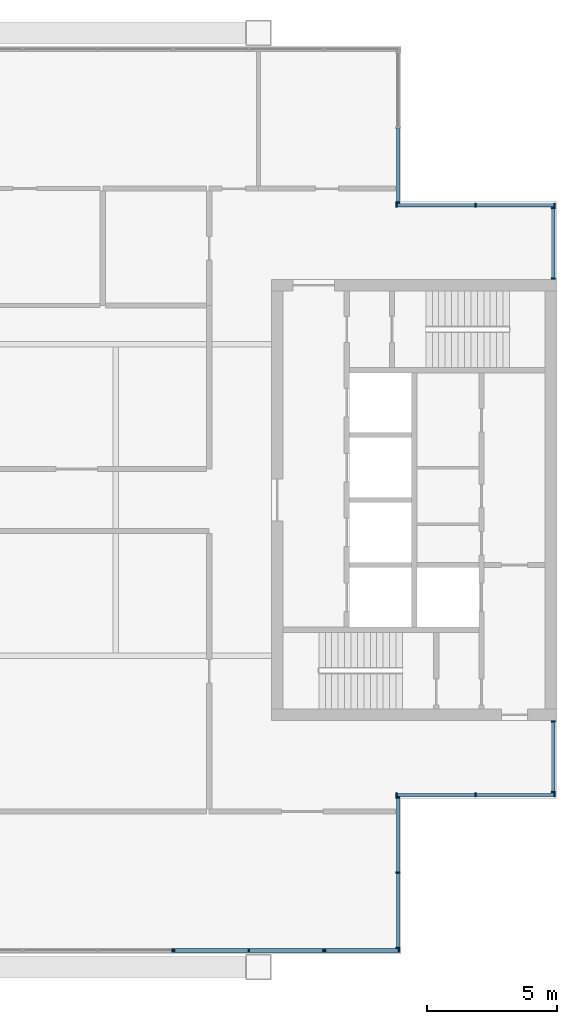
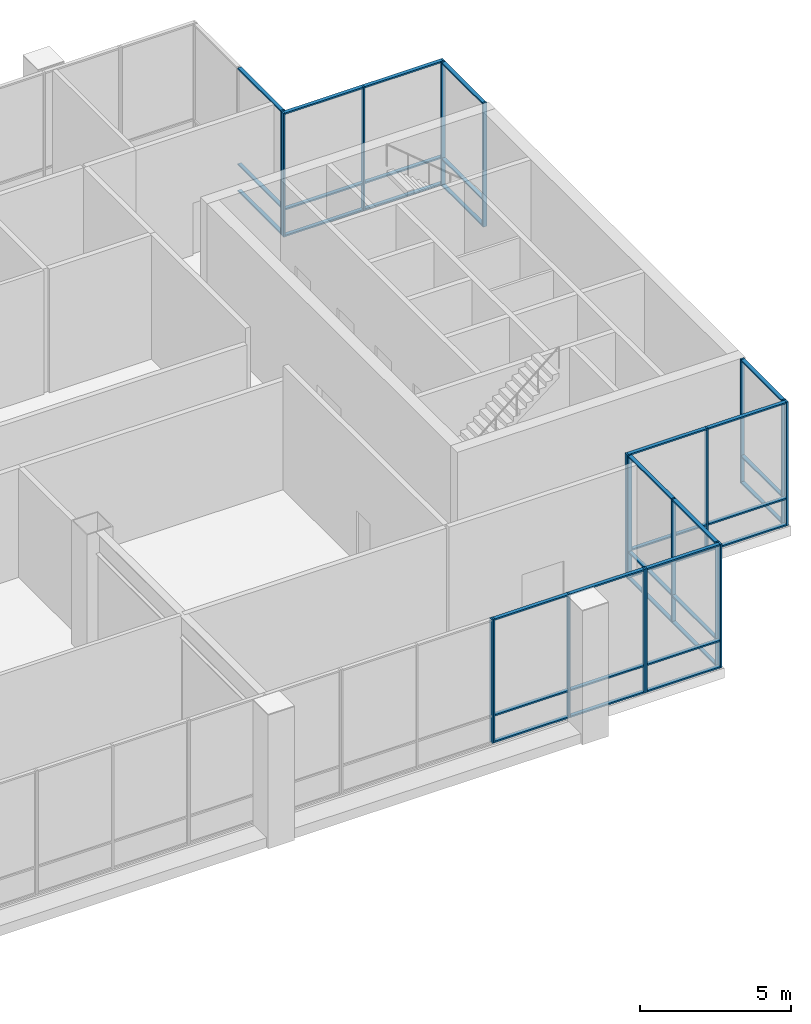
# One storey, part 6 of 15: 56 members, 9 elements without a shape of their own.
"""IFC4 building model written with IfcOpenShell, lengths in metres."""

from ifc_helpers import new_model, si_unit, direction, frame, origin, origin_2d, place, context, subcontext, project, spatial, rectangle, extrude, material, material_profile, profile_set, type_object, element, aggregate, save


model = new_model("IFC4")

# Units and contexts
model_context = context("Model", 3, precision=1e-05, world=origin(), true_north=direction((0.0, 1.0)))
body_context = subcontext(model_context, "Body", "Model", "MODEL_VIEW")
ifc_project = project(units=[si_unit("LENGTHUNIT", "METRE"), si_unit("AREAUNIT", "SQUARE_METRE"), si_unit("VOLUMEUNIT", "CUBIC_METRE"), si_unit("PLANEANGLEUNIT", "RADIAN"), si_unit("MASSUNIT", "GRAM", prefix="KILO")], contexts=[model_context])

# Site, building, storey
site_placement = place(None, origin())
site = spatial("IfcSite", under=ifc_project, at=site_placement, CompositionType="ELEMENT")
building_placement = place(site_placement, origin())
building = spatial("IfcBuilding", under=site, at=building_placement, Name="Kitamizu Gate Tower and Museum", CompositionType="ELEMENT")
storey_placement = place(building_placement, frame((0.0, 0.0, 277.949951171875)))
storey = spatial("IfcBuildingStorey", under=building, at=storey_placement, Name="L75", CompositionType="ELEMENT", Elevation=277.949951171875)

# Curtain wall, member
ifc_material_1 = material(Name="Bronze anodised aluminium frame, tinted triple glazing", Category="aluminium")
curtain_wall_type_1 = type_object("IfcCurtainWallType", Name="CURTAIN WALL TYPE C SKY AMENITY", PredefinedType="NOTDEFINED", material=ifc_material_1)
curtain_wall_1_placement = place(storey_placement, origin())
curtain_wall_1 = element("IfcCurtainWall", 1, at=curtain_wall_1_placement, inside=storey, type_object=curtain_wall_type_1, Name="Curtain wall CW-C south L75 part 5", PredefinedType="NOTDEFINED")
ifc_material_2 = material(Name="Bronze anodised aluminium", Category="aluminium")
ifc_material_profile_1 = material_profile(ifc_material_2, rectangle(XDim=0.06005859375, YDim=0.14990234375, at=origin_2d()), Name="AL 60X150")
ifc_profile_set_1 = profile_set([ifc_material_profile_1], Name="Bronze anodised aluminium")
member_type_1 = type_object("IfcMemberType", Name="MULLION 60 X 150 TYPE C", PredefinedType="MULLION", material=ifc_profile_set_1)
member_1_placement = place(storey_placement, frame((44.68994140625, 12.635009765625, 0.0), z_axis=(0.0, 0.0, 1.0), x_axis=(1.0, 0.0, 0.0)))
member_1 = element("IfcMember", 2, at=member_1_placement, type_object=member_type_1, Name="CW-C mullion 3", PredefinedType="MULLION", context=body_context, shape_type="SweptSolid", body=[
    extrude(rectangle(XDim=0.06005859375, YDim=0.14990234375, at=origin_2d()), origin(), (0.0, 0.0, 1.0), 5.0),
])
aggregate(curtain_wall_1, [member_1])

# Curtain wall, members
ifc_material_3 = material(Name="Bronze anodised aluminium frame, insulated panels", Category="aluminium")
curtain_wall_type_2 = type_object("IfcCurtainWallType", Name="CURTAIN WALL TYPE C SKY AMENITY INSULATED", PredefinedType="NOTDEFINED", material=ifc_material_3)
curtain_wall_2_placement = place(storey_placement, origin())
curtain_wall_2 = element("IfcCurtainWall", 3, at=curtain_wall_2_placement, inside=storey, type_object=curtain_wall_type_2, Name="Curtain wall CW-CI south L75 part 6", PredefinedType="NOTDEFINED")
member_2_placement = place(storey_placement, frame((44.75, 12.635009765625, 0.0), z_axis=(0.0, 0.0, 1.0), x_axis=(1.0, 0.0, 0.0)))
member_2 = element("IfcMember", 4, at=member_2_placement, type_object=member_type_1, Name="CW-CI mullion 1", PredefinedType="MULLION", context=body_context, shape_type="SweptSolid", body=[
    extrude(rectangle(XDim=0.06005859375, YDim=0.14990234375, at=origin_2d()), origin(), (0.0, 0.0, 1.0), 5.0),
])
member_3_placement = place(storey_placement, frame((47.626708984375, 12.635009765625, 0.0), z_axis=(0.0, 0.0, 1.0), x_axis=(1.0, 0.0, 0.0)))
member_3 = element("IfcMember", 5, at=member_3_placement, type_object=member_type_1, Name="CW-CI mullion 2", PredefinedType="MULLION", context=body_context, shape_type="SweptSolid", body=[
    extrude(rectangle(XDim=0.06005859375, YDim=0.14990234375, at=origin_2d()), origin(), (0.0, 0.0, 1.0), 5.0),
])
member_4_placement = place(storey_placement, frame((50.50341796875, 12.635009765625, 0.0), z_axis=(0.0, 0.0, 1.0), x_axis=(1.0, 0.0, 0.0)))
member_4 = element("IfcMember", 6, at=member_4_placement, type_object=member_type_1, Name="CW-CI mullion 3", PredefinedType="MULLION", context=body_context, shape_type="SweptSolid", body=[
    extrude(rectangle(XDim=0.06005859375, YDim=0.14990234375, at=origin_2d()), origin(), (0.0, 0.0, 1.0), 5.0),
])

curtain_wall_3_placement = place(storey_placement, origin())
curtain_wall_3 = element("IfcCurtainWall", 7, at=curtain_wall_3_placement, inside=storey, type_object=curtain_wall_type_1, Name="Curtain wall CW-C south L75 part 7", PredefinedType="NOTDEFINED")
member_5_placement = place(storey_placement, frame((50.563232421875, 12.635009765625, 0.0), z_axis=(0.0, 0.0, 1.0), x_axis=(1.0, 0.0, 0.0)))
member_5 = element("IfcMember", 8, at=member_5_placement, type_object=member_type_1, Name="CW-C mullion 1", PredefinedType="MULLION", context=body_context, shape_type="SweptSolid", body=[
    extrude(rectangle(XDim=0.06005859375, YDim=0.14990234375, at=origin_2d()), origin(), (0.0, 0.0, 1.0), 5.0),
])
member_6_placement = place(storey_placement, frame((53.409912109375, 12.635009765625, 0.0), z_axis=(0.0, 0.0, 1.0), x_axis=(1.0, 0.0, 0.0)))
member_6 = element("IfcMember", 9, at=member_6_placement, type_object=member_type_1, Name="CW-C mullion 2", PredefinedType="MULLION", context=body_context, shape_type="SweptSolid", body=[
    extrude(rectangle(XDim=0.06005859375, YDim=0.14990234375, at=origin_2d()), origin(), (0.0, 0.0, 1.0), 5.0),
])

curtain_wall_4_placement = place(storey_placement, origin())
curtain_wall_4 = element("IfcCurtainWall", 10, at=curtain_wall_4_placement, inside=storey, type_object=curtain_wall_type_1, Name="Curtain wall CW-C east L75", PredefinedType="NOTDEFINED")
member_7_placement = place(storey_placement, frame((53.364990234375, 12.739990234375, 0.0), z_axis=(0.0, 0.0, 1.0), x_axis=(0.0, 1.0, 0.0)))
member_7 = element("IfcMember", 11, at=member_7_placement, type_object=member_type_1, Name="CW-C mullion 1", PredefinedType="MULLION", context=body_context, shape_type="SweptSolid", body=[
    extrude(rectangle(XDim=0.06005859375, YDim=0.14990234375, at=origin_2d()), origin(), (0.0, 0.0, 1.0), 5.0),
])
member_8_placement = place(storey_placement, frame((53.364990234375, 15.635009765625, 0.0), z_axis=(0.0, 0.0, 1.0), x_axis=(0.0, 1.0, 0.0)))
member_8 = element("IfcMember", 12, at=member_8_placement, type_object=member_type_1, Name="CW-C mullion 2", PredefinedType="MULLION", context=body_context, shape_type="SweptSolid", body=[
    extrude(rectangle(XDim=0.06005859375, YDim=0.14990234375, at=origin_2d()), origin(), (0.0, 0.0, 1.0), 5.0),
])
member_9_placement = place(storey_placement, frame((53.364990234375, 18.530029296875, 0.0), z_axis=(0.0, 0.0, 1.0), x_axis=(0.0, 1.0, 0.0)))
member_9 = element("IfcMember", 13, at=member_9_placement, type_object=member_type_1, Name="CW-C mullion 3", PredefinedType="MULLION", context=body_context, shape_type="SweptSolid", body=[
    extrude(rectangle(XDim=0.06005859375, YDim=0.14990234375, at=origin_2d()), origin(), (0.0, 0.0, 1.0), 5.0),
])

curtain_wall_5_placement = place(storey_placement, origin())
curtain_wall_5 = element("IfcCurtainWall", 14, at=curtain_wall_5_placement, inside=storey, type_object=curtain_wall_type_1, Name="Curtain wall CW-C south L75", PredefinedType="NOTDEFINED")
member_10_placement = place(storey_placement, frame((53.320068359375, 18.635009765625, 0.0), z_axis=(0.0, 0.0, 1.0), x_axis=(1.0, 0.0, 0.0)))
member_10 = element("IfcMember", 15, at=member_10_placement, type_object=member_type_1, Name="CW-C mullion 1", PredefinedType="MULLION", context=body_context, shape_type="SweptSolid", body=[
    extrude(rectangle(XDim=0.06005859375, YDim=0.14990234375, at=origin_2d()), origin(), (0.0, 0.0, 1.0), 5.0),
])
member_11_placement = place(storey_placement, frame((56.364990234375, 18.635009765625, 0.0), z_axis=(0.0, 0.0, 1.0), x_axis=(1.0, 0.0, 0.0)))
member_11 = element("IfcMember", 16, at=member_11_placement, type_object=member_type_1, Name="CW-C mullion 2", PredefinedType="MULLION", context=body_context, shape_type="SweptSolid", body=[
    extrude(rectangle(XDim=0.06005859375, YDim=0.14990234375, at=origin_2d()), origin(), (0.0, 0.0, 1.0), 5.0),
])
member_12_placement = place(storey_placement, frame((59.409912109375, 18.635009765625, 0.0), z_axis=(0.0, 0.0, 1.0), x_axis=(1.0, 0.0, 0.0)))
member_12 = element("IfcMember", 17, at=member_12_placement, type_object=member_type_1, Name="CW-C mullion 3", PredefinedType="MULLION", context=body_context, shape_type="SweptSolid", body=[
    extrude(rectangle(XDim=0.06005859375, YDim=0.14990234375, at=origin_2d()), origin(), (0.0, 0.0, 1.0), 5.0),
])

curtain_wall_6_placement = place(storey_placement, origin())
curtain_wall_6 = element("IfcCurtainWall", 18, at=curtain_wall_6_placement, inside=storey, type_object=curtain_wall_type_1, Name="Curtain wall CW-C east L75", PredefinedType="NOTDEFINED")
member_13_placement = place(storey_placement, frame((59.364990234375, 18.739990234375, 0.0), z_axis=(0.0, 0.0, 1.0), x_axis=(0.0, 1.0, 0.0)))
member_13 = element("IfcMember", 19, at=member_13_placement, type_object=member_type_1, Name="CW-C mullion 1", PredefinedType="MULLION", context=body_context, shape_type="SweptSolid", body=[
    extrude(rectangle(XDim=0.06005859375, YDim=0.14990234375, at=origin_2d()), origin(), (0.0, 0.0, 1.0), 5.0),
])
member_14_placement = place(storey_placement, frame((59.364990234375, 21.469970703125, 0.0), z_axis=(0.0, 0.0, 1.0), x_axis=(0.0, 1.0, 0.0)))
member_14 = element("IfcMember", 20, at=member_14_placement, type_object=member_type_1, Name="CW-C mullion 2", PredefinedType="MULLION", context=body_context, shape_type="SweptSolid", body=[
    extrude(rectangle(XDim=0.06005859375, YDim=0.14990234375, at=origin_2d()), origin(), (0.0, 0.0, 1.0), 5.0),
])

curtain_wall_7_placement = place(storey_placement, origin())
curtain_wall_7 = element("IfcCurtainWall", 21, at=curtain_wall_7_placement, inside=storey, type_object=curtain_wall_type_1, Name="Curtain wall CW-C east L75", PredefinedType="NOTDEFINED")
member_15_placement = place(storey_placement, frame((59.364990234375, 38.530029296875, 0.0), z_axis=(0.0, 0.0, 1.0), x_axis=(0.0, 1.0, 0.0)))
member_15 = element("IfcMember", 22, at=member_15_placement, type_object=member_type_1, Name="CW-C mullion 1", PredefinedType="MULLION", context=body_context, shape_type="SweptSolid", body=[
    extrude(rectangle(XDim=0.06005859375, YDim=0.14990234375, at=origin_2d()), origin(), (0.0, 0.0, 1.0), 5.0),
])
member_16_placement = place(storey_placement, frame((59.364990234375, 41.260009765625, 0.0), z_axis=(0.0, 0.0, 1.0), x_axis=(0.0, 1.0, 0.0)))
member_16 = element("IfcMember", 23, at=member_16_placement, type_object=member_type_1, Name="CW-C mullion 2", PredefinedType="MULLION", context=body_context, shape_type="SweptSolid", body=[
    extrude(rectangle(XDim=0.06005859375, YDim=0.14990234375, at=origin_2d()), origin(), (0.0, 0.0, 1.0), 5.0),
])

curtain_wall_8_placement = place(storey_placement, origin())
curtain_wall_8 = element("IfcCurtainWall", 24, at=curtain_wall_8_placement, inside=storey, type_object=curtain_wall_type_1, Name="Curtain wall CW-C north L75", PredefinedType="NOTDEFINED")
member_17_placement = place(storey_placement, frame((53.320068359375, 41.364990234375, 0.0), z_axis=(0.0, 0.0, 1.0), x_axis=(1.0, 0.0, 0.0)))
member_17 = element("IfcMember", 25, at=member_17_placement, type_object=member_type_1, Name="CW-C mullion 1", PredefinedType="MULLION", context=body_context, shape_type="SweptSolid", body=[
    extrude(rectangle(XDim=0.06005859375, YDim=0.14990234375, at=origin_2d()), origin(), (0.0, 0.0, 1.0), 5.0),
])
member_18_placement = place(storey_placement, frame((56.364990234375, 41.364990234375, 0.0), z_axis=(0.0, 0.0, 1.0), x_axis=(1.0, 0.0, 0.0)))
member_18 = element("IfcMember", 26, at=member_18_placement, type_object=member_type_1, Name="CW-C mullion 2", PredefinedType="MULLION", context=body_context, shape_type="SweptSolid", body=[
    extrude(rectangle(XDim=0.06005859375, YDim=0.14990234375, at=origin_2d()), origin(), (0.0, 0.0, 1.0), 5.0),
])
member_19_placement = place(storey_placement, frame((59.409912109375, 41.364990234375, 0.0), z_axis=(0.0, 0.0, 1.0), x_axis=(1.0, 0.0, 0.0)))
member_19 = element("IfcMember", 27, at=member_19_placement, type_object=member_type_1, Name="CW-C mullion 3", PredefinedType="MULLION", context=body_context, shape_type="SweptSolid", body=[
    extrude(rectangle(XDim=0.06005859375, YDim=0.14990234375, at=origin_2d()), origin(), (0.0, 0.0, 1.0), 5.0),
])

# Curtain wall, member
curtain_wall_9_placement = place(storey_placement, origin())
curtain_wall_9 = element("IfcCurtainWall", 28, at=curtain_wall_9_placement, inside=storey, type_object=curtain_wall_type_1, Name="Curtain wall CW-C east L75", PredefinedType="NOTDEFINED")
member_20_placement = place(storey_placement, frame((53.364990234375, 41.469970703125, 0.0), z_axis=(0.0, 0.0, 1.0), x_axis=(0.0, 1.0, 0.0)))
member_20 = element("IfcMember", 29, at=member_20_placement, type_object=member_type_1, Name="CW-C mullion 1", PredefinedType="MULLION", context=body_context, shape_type="SweptSolid", body=[
    extrude(rectangle(XDim=0.06005859375, YDim=0.14990234375, at=origin_2d()), origin(), (0.0, 0.0, 1.0), 5.0),
])

# Member
ifc_material_4 = material(Name="Bronze anodised aluminium", Category="aluminium")
ifc_material_profile_2 = material_profile(ifc_material_4, rectangle(XDim=0.139892578125, YDim=0.06005859375, at=origin_2d()), Name="AL 60X140")
ifc_profile_set_2 = profile_set([ifc_material_profile_2], Name="Bronze anodised aluminium")
member_type_2 = type_object("IfcMemberType", Name="TRANSOM 60 X 140 TYPE C", PredefinedType="USERDEFINED", material=ifc_profile_set_2)
member_21_placement = place(storey_placement, frame((44.780029296875, 12.635009765625, 0.030029296875), z_axis=(1.0, 0.0, 0.0), x_axis=(0.0, 1.0, 0.0)))
member_21 = element("IfcMember", 30, at=member_21_placement, type_object=member_type_2, Name="CW-CI transom 1.1", ObjectType="TRANSOM", PredefinedType="USERDEFINED", context=body_context, shape_type="SweptSolid", body=[
    extrude(rectangle(XDim=0.139892578125, YDim=0.06005859375, at=origin_2d()), origin(), (0.0, 0.0, 1.0), 2.816650390625),
])

member_22_placement = place(storey_placement, frame((44.780029296875, 12.635009765625, 1.10009765625), z_axis=(1.0, 0.0, 0.0), x_axis=(0.0, 1.0, 0.0)))
member_22 = element("IfcMember", 31, at=member_22_placement, type_object=member_type_2, Name="CW-CI transom 1.2", ObjectType="TRANSOM", PredefinedType="USERDEFINED", context=body_context, shape_type="SweptSolid", body=[
    extrude(rectangle(XDim=0.139892578125, YDim=0.06005859375, at=origin_2d()), origin(), (0.0, 0.0, 1.0), 2.816650390625),
])

member_23_placement = place(storey_placement, frame((44.780029296875, 12.635009765625, 4.969970703125), z_axis=(1.0, 0.0, 0.0), x_axis=(0.0, 1.0, 0.0)))
member_23 = element("IfcMember", 32, at=member_23_placement, type_object=member_type_2, Name="CW-CI transom 1.3", ObjectType="TRANSOM", PredefinedType="USERDEFINED", context=body_context, shape_type="SweptSolid", body=[
    extrude(rectangle(XDim=0.139892578125, YDim=0.06005859375, at=origin_2d()), origin(), (0.0, 0.0, 1.0), 2.816650390625),
])

member_24_placement = place(storey_placement, frame((47.65673828125, 12.635009765625, 0.030029296875), z_axis=(1.0, 0.0, 0.0), x_axis=(0.0, 1.0, 0.0)))
member_24 = element("IfcMember", 33, at=member_24_placement, type_object=member_type_2, Name="CW-CI transom 2.1", ObjectType="TRANSOM", PredefinedType="USERDEFINED", context=body_context, shape_type="SweptSolid", body=[
    extrude(rectangle(XDim=0.139892578125, YDim=0.06005859375, at=origin_2d()), origin(), (0.0, 0.0, 1.0), 2.816650390625),
])

member_25_placement = place(storey_placement, frame((47.65673828125, 12.635009765625, 1.10009765625), z_axis=(1.0, 0.0, 0.0), x_axis=(0.0, 1.0, 0.0)))
member_25 = element("IfcMember", 34, at=member_25_placement, type_object=member_type_2, Name="CW-CI transom 2.2", ObjectType="TRANSOM", PredefinedType="USERDEFINED", context=body_context, shape_type="SweptSolid", body=[
    extrude(rectangle(XDim=0.139892578125, YDim=0.06005859375, at=origin_2d()), origin(), (0.0, 0.0, 1.0), 2.816650390625),
])

member_26_placement = place(storey_placement, frame((47.65673828125, 12.635009765625, 4.969970703125), z_axis=(1.0, 0.0, 0.0), x_axis=(0.0, 1.0, 0.0)))
member_26 = element("IfcMember", 35, at=member_26_placement, type_object=member_type_2, Name="CW-CI transom 2.3", ObjectType="TRANSOM", PredefinedType="USERDEFINED", context=body_context, shape_type="SweptSolid", body=[
    extrude(rectangle(XDim=0.139892578125, YDim=0.06005859375, at=origin_2d()), origin(), (0.0, 0.0, 1.0), 2.816650390625),
])

aggregate(curtain_wall_2, [member_2, member_3, member_4, member_21, member_22, member_23, member_24, member_25, member_26])

member_27_placement = place(storey_placement, frame((50.59326171875, 12.635009765625, 0.030029296875), z_axis=(1.0, 0.0, 0.0), x_axis=(0.0, 1.0, 0.0)))
member_27 = element("IfcMember", 36, at=member_27_placement, type_object=member_type_2, Name="CW-C transom 1.1", ObjectType="TRANSOM", PredefinedType="USERDEFINED", context=body_context, shape_type="SweptSolid", body=[
    extrude(rectangle(XDim=0.139892578125, YDim=0.06005859375, at=origin_2d()), origin(), (0.0, 0.0, 1.0), 2.78662109375),
])

member_28_placement = place(storey_placement, frame((50.59326171875, 12.635009765625, 1.10009765625), z_axis=(1.0, 0.0, 0.0), x_axis=(0.0, 1.0, 0.0)))
member_28 = element("IfcMember", 37, at=member_28_placement, type_object=member_type_2, Name="CW-C transom 1.2", ObjectType="TRANSOM", PredefinedType="USERDEFINED", context=body_context, shape_type="SweptSolid", body=[
    extrude(rectangle(XDim=0.139892578125, YDim=0.06005859375, at=origin_2d()), origin(), (0.0, 0.0, 1.0), 2.78662109375),
])

member_29_placement = place(storey_placement, frame((50.59326171875, 12.635009765625, 4.969970703125), z_axis=(1.0, 0.0, 0.0), x_axis=(0.0, 1.0, 0.0)))
member_29 = element("IfcMember", 38, at=member_29_placement, type_object=member_type_2, Name="CW-C transom 1.3", ObjectType="TRANSOM", PredefinedType="USERDEFINED", context=body_context, shape_type="SweptSolid", body=[
    extrude(rectangle(XDim=0.139892578125, YDim=0.06005859375, at=origin_2d()), origin(), (0.0, 0.0, 1.0), 2.78662109375),
])

aggregate(curtain_wall_3, [member_5, member_6, member_27, member_28, member_29])

member_30_placement = place(storey_placement, frame((53.364990234375, 12.77001953125, 0.030029296875), z_axis=(0.0, 1.0, 0.0), x_axis=(-1.0, 0.0, 0.0)))
member_30 = element("IfcMember", 39, at=member_30_placement, type_object=member_type_2, Name="CW-C transom 1.1", ObjectType="TRANSOM", PredefinedType="USERDEFINED", context=body_context, shape_type="SweptSolid", body=[
    extrude(rectangle(XDim=0.139892578125, YDim=0.06005859375, at=origin_2d()), origin(), (0.0, 0.0, 1.0), 2.8349609375),
])

member_31_placement = place(storey_placement, frame((53.364990234375, 12.77001953125, 1.10009765625), z_axis=(0.0, 1.0, 0.0), x_axis=(-1.0, 0.0, 0.0)))
member_31 = element("IfcMember", 40, at=member_31_placement, type_object=member_type_2, Name="CW-C transom 1.2", ObjectType="TRANSOM", PredefinedType="USERDEFINED", context=body_context, shape_type="SweptSolid", body=[
    extrude(rectangle(XDim=0.139892578125, YDim=0.06005859375, at=origin_2d()), origin(), (0.0, 0.0, 1.0), 2.8349609375),
])

member_32_placement = place(storey_placement, frame((53.364990234375, 12.77001953125, 4.969970703125), z_axis=(0.0, 1.0, 0.0), x_axis=(-1.0, 0.0, 0.0)))
member_32 = element("IfcMember", 41, at=member_32_placement, type_object=member_type_2, Name="CW-C transom 1.3", ObjectType="TRANSOM", PredefinedType="USERDEFINED", context=body_context, shape_type="SweptSolid", body=[
    extrude(rectangle(XDim=0.139892578125, YDim=0.06005859375, at=origin_2d()), origin(), (0.0, 0.0, 1.0), 2.8349609375),
])

member_33_placement = place(storey_placement, frame((53.364990234375, 15.6650390625, 0.030029296875), z_axis=(0.0, 1.0, 0.0), x_axis=(-1.0, 0.0, 0.0)))
member_33 = element("IfcMember", 42, at=member_33_placement, type_object=member_type_2, Name="CW-C transom 2.1", ObjectType="TRANSOM", PredefinedType="USERDEFINED", context=body_context, shape_type="SweptSolid", body=[
    extrude(rectangle(XDim=0.139892578125, YDim=0.06005859375, at=origin_2d()), origin(), (0.0, 0.0, 1.0), 2.8349609375),
])

member_34_placement = place(storey_placement, frame((53.364990234375, 15.6650390625, 1.10009765625), z_axis=(0.0, 1.0, 0.0), x_axis=(-1.0, 0.0, 0.0)))
member_34 = element("IfcMember", 43, at=member_34_placement, type_object=member_type_2, Name="CW-C transom 2.2", ObjectType="TRANSOM", PredefinedType="USERDEFINED", context=body_context, shape_type="SweptSolid", body=[
    extrude(rectangle(XDim=0.139892578125, YDim=0.06005859375, at=origin_2d()), origin(), (0.0, 0.0, 1.0), 2.8349609375),
])

member_35_placement = place(storey_placement, frame((53.364990234375, 15.6650390625, 4.969970703125), z_axis=(0.0, 1.0, 0.0), x_axis=(-1.0, 0.0, 0.0)))
member_35 = element("IfcMember", 44, at=member_35_placement, type_object=member_type_2, Name="CW-C transom 2.3", ObjectType="TRANSOM", PredefinedType="USERDEFINED", context=body_context, shape_type="SweptSolid", body=[
    extrude(rectangle(XDim=0.139892578125, YDim=0.06005859375, at=origin_2d()), origin(), (0.0, 0.0, 1.0), 2.8349609375),
])

aggregate(curtain_wall_4, [member_7, member_8, member_9, member_30, member_31, member_32, member_33, member_34, member_35])

member_36_placement = place(storey_placement, frame((53.35009765625, 18.635009765625, 0.030029296875), z_axis=(1.0, 0.0, 0.0), x_axis=(0.0, 1.0, 0.0)))
member_36 = element("IfcMember", 45, at=member_36_placement, type_object=member_type_2, Name="CW-C transom 1.1", ObjectType="TRANSOM", PredefinedType="USERDEFINED", context=body_context, shape_type="SweptSolid", body=[
    extrude(rectangle(XDim=0.139892578125, YDim=0.06005859375, at=origin_2d()), origin(), (0.0, 0.0, 1.0), 2.98486328125),
])

member_37_placement = place(storey_placement, frame((53.35009765625, 18.635009765625, 1.10009765625), z_axis=(1.0, 0.0, 0.0), x_axis=(0.0, 1.0, 0.0)))
member_37 = element("IfcMember", 46, at=member_37_placement, type_object=member_type_2, Name="CW-C transom 1.2", ObjectType="TRANSOM", PredefinedType="USERDEFINED", context=body_context, shape_type="SweptSolid", body=[
    extrude(rectangle(XDim=0.139892578125, YDim=0.06005859375, at=origin_2d()), origin(), (0.0, 0.0, 1.0), 2.98486328125),
])

member_38_placement = place(storey_placement, frame((53.35009765625, 18.635009765625, 4.969970703125), z_axis=(1.0, 0.0, 0.0), x_axis=(0.0, 1.0, 0.0)))
member_38 = element("IfcMember", 47, at=member_38_placement, type_object=member_type_2, Name="CW-C transom 1.3", ObjectType="TRANSOM", PredefinedType="USERDEFINED", context=body_context, shape_type="SweptSolid", body=[
    extrude(rectangle(XDim=0.139892578125, YDim=0.06005859375, at=origin_2d()), origin(), (0.0, 0.0, 1.0), 2.98486328125),
])

member_39_placement = place(storey_placement, frame((56.39501953125, 18.635009765625, 0.030029296875), z_axis=(1.0, 0.0, 0.0), x_axis=(0.0, 1.0, 0.0)))
member_39 = element("IfcMember", 48, at=member_39_placement, type_object=member_type_2, Name="CW-C transom 2.1", ObjectType="TRANSOM", PredefinedType="USERDEFINED", context=body_context, shape_type="SweptSolid", body=[
    extrude(rectangle(XDim=0.139892578125, YDim=0.06005859375, at=origin_2d()), origin(), (0.0, 0.0, 1.0), 2.98486328125),
])

member_40_placement = place(storey_placement, frame((56.39501953125, 18.635009765625, 1.10009765625), z_axis=(1.0, 0.0, 0.0), x_axis=(0.0, 1.0, 0.0)))
member_40 = element("IfcMember", 49, at=member_40_placement, type_object=member_type_2, Name="CW-C transom 2.2", ObjectType="TRANSOM", PredefinedType="USERDEFINED", context=body_context, shape_type="SweptSolid", body=[
    extrude(rectangle(XDim=0.139892578125, YDim=0.06005859375, at=origin_2d()), origin(), (0.0, 0.0, 1.0), 2.98486328125),
])

member_41_placement = place(storey_placement, frame((56.39501953125, 18.635009765625, 4.969970703125), z_axis=(1.0, 0.0, 0.0), x_axis=(0.0, 1.0, 0.0)))
member_41 = element("IfcMember", 50, at=member_41_placement, type_object=member_type_2, Name="CW-C transom 2.3", ObjectType="TRANSOM", PredefinedType="USERDEFINED", context=body_context, shape_type="SweptSolid", body=[
    extrude(rectangle(XDim=0.139892578125, YDim=0.06005859375, at=origin_2d()), origin(), (0.0, 0.0, 1.0), 2.98486328125),
])

aggregate(curtain_wall_5, [member_10, member_11, member_12, member_36, member_37, member_38, member_39, member_40, member_41])

member_42_placement = place(storey_placement, frame((59.364990234375, 18.77001953125, 0.030029296875), z_axis=(0.0, 1.0, 0.0), x_axis=(-1.0, 0.0, 0.0)))
member_42 = element("IfcMember", 51, at=member_42_placement, type_object=member_type_2, Name="CW-C transom 1.1", ObjectType="TRANSOM", PredefinedType="USERDEFINED", context=body_context, shape_type="SweptSolid", body=[
    extrude(rectangle(XDim=0.139892578125, YDim=0.06005859375, at=origin_2d()), origin(), (0.0, 0.0, 1.0), 2.669921875),
])

member_43_placement = place(storey_placement, frame((59.364990234375, 18.77001953125, 1.10009765625), z_axis=(0.0, 1.0, 0.0), x_axis=(-1.0, 0.0, 0.0)))
member_43 = element("IfcMember", 52, at=member_43_placement, type_object=member_type_2, Name="CW-C transom 1.2", ObjectType="TRANSOM", PredefinedType="USERDEFINED", context=body_context, shape_type="SweptSolid", body=[
    extrude(rectangle(XDim=0.139892578125, YDim=0.06005859375, at=origin_2d()), origin(), (0.0, 0.0, 1.0), 2.669921875),
])

member_44_placement = place(storey_placement, frame((59.364990234375, 18.77001953125, 4.969970703125), z_axis=(0.0, 1.0, 0.0), x_axis=(-1.0, 0.0, 0.0)))
member_44 = element("IfcMember", 53, at=member_44_placement, type_object=member_type_2, Name="CW-C transom 1.3", ObjectType="TRANSOM", PredefinedType="USERDEFINED", context=body_context, shape_type="SweptSolid", body=[
    extrude(rectangle(XDim=0.139892578125, YDim=0.06005859375, at=origin_2d()), origin(), (0.0, 0.0, 1.0), 2.669921875),
])

aggregate(curtain_wall_6, [member_13, member_14, member_42, member_43, member_44])

member_45_placement = place(storey_placement, frame((59.364990234375, 38.56005859375, 0.030029296875), z_axis=(0.0, 1.0, 0.0), x_axis=(-1.0, 0.0, 0.0)))
member_45 = element("IfcMember", 54, at=member_45_placement, type_object=member_type_2, Name="CW-C transom 1.1", ObjectType="TRANSOM", PredefinedType="USERDEFINED", context=body_context, shape_type="SweptSolid", body=[
    extrude(rectangle(XDim=0.139892578125, YDim=0.06005859375, at=origin_2d()), origin(), (0.0, 0.0, 1.0), 2.669921875),
])

member_46_placement = place(storey_placement, frame((59.364990234375, 38.56005859375, 1.10009765625), z_axis=(0.0, 1.0, 0.0), x_axis=(-1.0, 0.0, 0.0)))
member_46 = element("IfcMember", 55, at=member_46_placement, type_object=member_type_2, Name="CW-C transom 1.2", ObjectType="TRANSOM", PredefinedType="USERDEFINED", context=body_context, shape_type="SweptSolid", body=[
    extrude(rectangle(XDim=0.139892578125, YDim=0.06005859375, at=origin_2d()), origin(), (0.0, 0.0, 1.0), 2.669921875),
])

member_47_placement = place(storey_placement, frame((59.364990234375, 38.56005859375, 4.969970703125), z_axis=(0.0, 1.0, 0.0), x_axis=(-1.0, 0.0, 0.0)))
member_47 = element("IfcMember", 56, at=member_47_placement, type_object=member_type_2, Name="CW-C transom 1.3", ObjectType="TRANSOM", PredefinedType="USERDEFINED", context=body_context, shape_type="SweptSolid", body=[
    extrude(rectangle(XDim=0.139892578125, YDim=0.06005859375, at=origin_2d()), origin(), (0.0, 0.0, 1.0), 2.669921875),
])

aggregate(curtain_wall_7, [member_15, member_16, member_45, member_46, member_47])

member_48_placement = place(storey_placement, frame((53.35009765625, 41.364990234375, 0.030029296875), z_axis=(1.0, 0.0, 0.0), x_axis=(0.0, 1.0, 0.0)))
member_48 = element("IfcMember", 57, at=member_48_placement, type_object=member_type_2, Name="CW-C transom 1.1", ObjectType="TRANSOM", PredefinedType="USERDEFINED", context=body_context, shape_type="SweptSolid", body=[
    extrude(rectangle(XDim=0.139892578125, YDim=0.06005859375, at=origin_2d()), origin(), (0.0, 0.0, 1.0), 2.98486328125),
])

member_49_placement = place(storey_placement, frame((53.35009765625, 41.364990234375, 1.10009765625), z_axis=(1.0, 0.0, 0.0), x_axis=(0.0, 1.0, 0.0)))
member_49 = element("IfcMember", 58, at=member_49_placement, type_object=member_type_2, Name="CW-C transom 1.2", ObjectType="TRANSOM", PredefinedType="USERDEFINED", context=body_context, shape_type="SweptSolid", body=[
    extrude(rectangle(XDim=0.139892578125, YDim=0.06005859375, at=origin_2d()), origin(), (0.0, 0.0, 1.0), 2.98486328125),
])

member_50_placement = place(storey_placement, frame((53.35009765625, 41.364990234375, 4.969970703125), z_axis=(1.0, 0.0, 0.0), x_axis=(0.0, 1.0, 0.0)))
member_50 = element("IfcMember", 59, at=member_50_placement, type_object=member_type_2, Name="CW-C transom 1.3", ObjectType="TRANSOM", PredefinedType="USERDEFINED", context=body_context, shape_type="SweptSolid", body=[
    extrude(rectangle(XDim=0.139892578125, YDim=0.06005859375, at=origin_2d()), origin(), (0.0, 0.0, 1.0), 2.98486328125),
])

member_51_placement = place(storey_placement, frame((56.39501953125, 41.364990234375, 0.030029296875), z_axis=(1.0, 0.0, 0.0), x_axis=(0.0, 1.0, 0.0)))
member_51 = element("IfcMember", 60, at=member_51_placement, type_object=member_type_2, Name="CW-C transom 2.1", ObjectType="TRANSOM", PredefinedType="USERDEFINED", context=body_context, shape_type="SweptSolid", body=[
    extrude(rectangle(XDim=0.139892578125, YDim=0.06005859375, at=origin_2d()), origin(), (0.0, 0.0, 1.0), 2.98486328125),
])

member_52_placement = place(storey_placement, frame((56.39501953125, 41.364990234375, 1.10009765625), z_axis=(1.0, 0.0, 0.0), x_axis=(0.0, 1.0, 0.0)))
member_52 = element("IfcMember", 61, at=member_52_placement, type_object=member_type_2, Name="CW-C transom 2.2", ObjectType="TRANSOM", PredefinedType="USERDEFINED", context=body_context, shape_type="SweptSolid", body=[
    extrude(rectangle(XDim=0.139892578125, YDim=0.06005859375, at=origin_2d()), origin(), (0.0, 0.0, 1.0), 2.98486328125),
])

member_53_placement = place(storey_placement, frame((56.39501953125, 41.364990234375, 4.969970703125), z_axis=(1.0, 0.0, 0.0), x_axis=(0.0, 1.0, 0.0)))
member_53 = element("IfcMember", 62, at=member_53_placement, type_object=member_type_2, Name="CW-C transom 2.3", ObjectType="TRANSOM", PredefinedType="USERDEFINED", context=body_context, shape_type="SweptSolid", body=[
    extrude(rectangle(XDim=0.139892578125, YDim=0.06005859375, at=origin_2d()), origin(), (0.0, 0.0, 1.0), 2.98486328125),
])

aggregate(curtain_wall_8, [member_17, member_18, member_19, member_48, member_49, member_50, member_51, member_52, member_53])

member_54_placement = place(storey_placement, frame((53.364990234375, 41.5, 0.030029296875), z_axis=(0.0, 1.0, 0.0), x_axis=(-1.0, 0.0, 0.0)))
member_54 = element("IfcMember", 63, at=member_54_placement, type_object=member_type_2, Name="CW-C transom 1.1", ObjectType="TRANSOM", PredefinedType="USERDEFINED", context=body_context, shape_type="SweptSolid", body=[
    extrude(rectangle(XDim=0.139892578125, YDim=0.06005859375, at=origin_2d()), origin(), (0.0, 0.0, 1.0), 2.8349609375),
])

member_55_placement = place(storey_placement, frame((53.364990234375, 41.5, 1.10009765625), z_axis=(0.0, 1.0, 0.0), x_axis=(-1.0, 0.0, 0.0)))
member_55 = element("IfcMember", 64, at=member_55_placement, type_object=member_type_2, Name="CW-C transom 1.2", ObjectType="TRANSOM", PredefinedType="USERDEFINED", context=body_context, shape_type="SweptSolid", body=[
    extrude(rectangle(XDim=0.139892578125, YDim=0.06005859375, at=origin_2d()), origin(), (0.0, 0.0, 1.0), 2.8349609375),
])

member_56_placement = place(storey_placement, frame((53.364990234375, 41.5, 4.969970703125), z_axis=(0.0, 1.0, 0.0), x_axis=(-1.0, 0.0, 0.0)))
member_56 = element("IfcMember", 65, at=member_56_placement, type_object=member_type_2, Name="CW-C transom 1.3", ObjectType="TRANSOM", PredefinedType="USERDEFINED", context=body_context, shape_type="SweptSolid", body=[
    extrude(rectangle(XDim=0.139892578125, YDim=0.06005859375, at=origin_2d()), origin(), (0.0, 0.0, 1.0), 2.8349609375),
])

aggregate(curtain_wall_9, [member_20, member_54, member_55, member_56])

save(model, "model.ifc")
